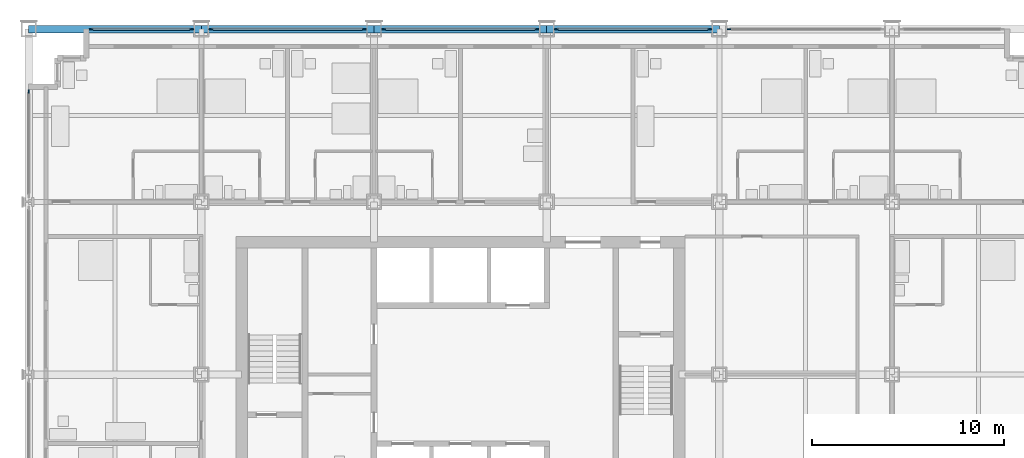
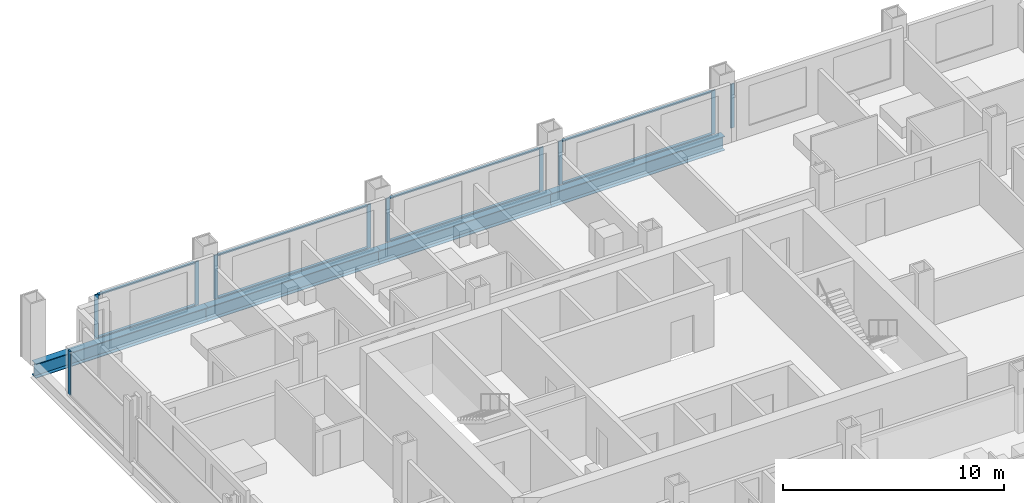
# One storey, part 7 of 18: 18 members, 4 beams, 6 elements without a shape of their own.
"""IFC4 building model written with IfcOpenShell, lengths in metres."""

from ifc_helpers import new_model, si_unit, direction, frame, origin, origin_2d, place, context, subcontext, project, spatial, rectangle, i_section, extrude, material, material_profile, profile_set, type_object, element, aggregate, save


model = new_model("IFC4")

# Units and contexts
model_context = context("Model", 3, precision=1e-05, world=origin(), true_north=direction((0.0, 1.0)))
body_context = subcontext(model_context, "Body", "Model", "MODEL_VIEW")
ifc_project = project(units=[si_unit("LENGTHUNIT", "METRE"), si_unit("AREAUNIT", "SQUARE_METRE"), si_unit("VOLUMEUNIT", "CUBIC_METRE"), si_unit("PLANEANGLEUNIT", "RADIAN"), si_unit("MASSUNIT", "GRAM", prefix="KILO")], contexts=[model_context])

# Site, building, storey
site_placement = place(None, origin())
site = spatial("IfcSite", under=ifc_project, at=site_placement, CompositionType="ELEMENT")
building_placement = place(site_placement, origin())
building = spatial("IfcBuilding", under=site, at=building_placement, Name="Loomwork Tower", CompositionType="ELEMENT")
storey_placement = place(building_placement, frame((0.0, 0.0, 65.39990234375)))
storey = spatial("IfcBuildingStorey", under=building, at=storey_placement, Name="L16", CompositionType="ELEMENT", Elevation=65.39990234375)

# Curtain wall, members
ifc_material_1 = material(Name="Aluminium curtain wall frame", Category="aluminium")
curtain_wall_type = type_object("IfcCurtainWallType", Name="Outer skin glazing hotel", PredefinedType="NOTDEFINED", material=ifc_material_1)
curtain_wall_1_placement = place(storey_placement, origin())
curtain_wall_1 = element("IfcCurtainWall", 1, at=curtain_wall_1_placement, inside=storey, type_object=curtain_wall_type, Name="Outer skin glazing hotel cw/N-0", PredefinedType="NOTDEFINED")
ifc_material_2 = material(Name="Aluminium curtain wall frame", Category="aluminium")
ifc_material_profile_1 = material_profile(ifc_material_2, rectangle(XDim=0.06494140625, YDim=0.199951171875, at=origin_2d()), Name="AL 65x200")
ifc_profile_set_1 = profile_set([ifc_material_profile_1], Name="Aluminium curtain wall frame")
member_type_1 = type_object("IfcMemberType", Name="Outer skin glazing hotel mullion", PredefinedType="MULLION", material=ifc_profile_set_1)
member_1_placement = place(storey_placement, frame((8.5, 36.0, 0.0), z_axis=(0.0, 0.0, 1.0), x_axis=(0.0, -1.0, 0.0)))
member_1 = element("IfcMember", 2, at=member_1_placement, type_object=member_type_1, Name="CW1 mullion 1", PredefinedType="MULLION", context=body_context, shape_type="SweptSolid", body=[
    extrude(rectangle(XDim=0.06494140625, YDim=0.199951171875, at=origin_2d()), origin(), (0.0, 0.0, 1.0), 2.42041015625),
])
member_2_placement = place(storey_placement, frame((3.25, 36.0, 0.0), z_axis=(0.0, 0.0, 1.0), x_axis=(0.0, -1.0, 0.0)))
member_2 = element("IfcMember", 3, at=member_2_placement, type_object=member_type_1, Name="CW1 mullion 2", PredefinedType="MULLION", context=body_context, shape_type="SweptSolid", body=[
    extrude(rectangle(XDim=0.06494140625, YDim=0.199951171875, at=origin_2d()), origin(), (0.0, 0.0, 1.0), 2.42041015625),
])

curtain_wall_2_placement = place(storey_placement, origin())
curtain_wall_2 = element("IfcCurtainWall", 4, at=curtain_wall_2_placement, inside=storey, type_object=curtain_wall_type, Name="Outer skin glazing hotel cw/N-9", PredefinedType="NOTDEFINED")
member_3_placement = place(storey_placement, frame((17.5, 36.0, 0.0), z_axis=(0.0, 0.0, 1.0), x_axis=(0.0, -1.0, 0.0)))
member_3 = element("IfcMember", 5, at=member_3_placement, type_object=member_type_1, Name="CW1 mullion 1", PredefinedType="MULLION", context=body_context, shape_type="SweptSolid", body=[
    extrude(rectangle(XDim=0.06494140625, YDim=0.199951171875, at=origin_2d()), origin(), (0.0, 0.0, 1.0), 2.42041015625),
])
member_4_placement = place(storey_placement, frame((9.5, 36.0, 0.0), z_axis=(0.0, 0.0, 1.0), x_axis=(0.0, -1.0, 0.0)))
member_4 = element("IfcMember", 6, at=member_4_placement, type_object=member_type_1, Name="CW1 mullion 2", PredefinedType="MULLION", context=body_context, shape_type="SweptSolid", body=[
    extrude(rectangle(XDim=0.06494140625, YDim=0.199951171875, at=origin_2d()), origin(), (0.0, 0.0, 1.0), 2.42041015625),
])

curtain_wall_3_placement = place(storey_placement, origin())
curtain_wall_3 = element("IfcCurtainWall", 7, at=curtain_wall_3_placement, inside=storey, type_object=curtain_wall_type, Name="Outer skin glazing hotel cw/N-18", PredefinedType="NOTDEFINED")
member_5_placement = place(storey_placement, frame((26.5, 36.0, 0.0), z_axis=(0.0, 0.0, 1.0), x_axis=(0.0, -1.0, 0.0)))
member_5 = element("IfcMember", 8, at=member_5_placement, type_object=member_type_1, Name="CW1 mullion 1", PredefinedType="MULLION", context=body_context, shape_type="SweptSolid", body=[
    extrude(rectangle(XDim=0.06494140625, YDim=0.199951171875, at=origin_2d()), origin(), (0.0, 0.0, 1.0), 2.42041015625),
])
member_6_placement = place(storey_placement, frame((18.5, 36.0, 0.0), z_axis=(0.0, 0.0, 1.0), x_axis=(0.0, -1.0, 0.0)))
member_6 = element("IfcMember", 9, at=member_6_placement, type_object=member_type_1, Name="CW1 mullion 2", PredefinedType="MULLION", context=body_context, shape_type="SweptSolid", body=[
    extrude(rectangle(XDim=0.06494140625, YDim=0.199951171875, at=origin_2d()), origin(), (0.0, 0.0, 1.0), 2.42041015625),
])

curtain_wall_4_placement = place(storey_placement, origin())
curtain_wall_4 = element("IfcCurtainWall", 10, at=curtain_wall_4_placement, inside=storey, type_object=curtain_wall_type, Name="Outer skin glazing hotel cw/N-27", PredefinedType="NOTDEFINED")
member_7_placement = place(storey_placement, frame((35.5, 36.0, 0.0), z_axis=(0.0, 0.0, 1.0), x_axis=(0.0, -1.0, 0.0)))
member_7 = element("IfcMember", 11, at=member_7_placement, type_object=member_type_1, Name="CW1 mullion 1", PredefinedType="MULLION", context=body_context, shape_type="SweptSolid", body=[
    extrude(rectangle(XDim=0.06494140625, YDim=0.199951171875, at=origin_2d()), origin(), (0.0, 0.0, 1.0), 2.42041015625),
])
member_8_placement = place(storey_placement, frame((27.5, 36.0, 0.0), z_axis=(0.0, 0.0, 1.0), x_axis=(0.0, -1.0, 0.0)))
member_8 = element("IfcMember", 12, at=member_8_placement, type_object=member_type_1, Name="CW1 mullion 2", PredefinedType="MULLION", context=body_context, shape_type="SweptSolid", body=[
    extrude(rectangle(XDim=0.06494140625, YDim=0.199951171875, at=origin_2d()), origin(), (0.0, 0.0, 1.0), 2.42041015625),
])

# Curtain wall, member
curtain_wall_5_placement = place(storey_placement, origin())
curtain_wall_5 = element("IfcCurtainWall", 13, at=curtain_wall_5_placement, inside=storey, type_object=curtain_wall_type, Name="Outer skin glazing hotel cw/N-36", PredefinedType="NOTDEFINED")
member_9_placement = place(storey_placement, frame((36.5, 36.0, 0.0), z_axis=(0.0, 0.0, 1.0), x_axis=(0.0, -1.0, 0.0)))
member_9 = element("IfcMember", 14, at=member_9_placement, type_object=member_type_1, Name="CW1 mullion 2", PredefinedType="MULLION", context=body_context, shape_type="SweptSolid", body=[
    extrude(rectangle(XDim=0.06494140625, YDim=0.199951171875, at=origin_2d()), origin(), (0.0, 0.0, 1.0), 2.42041015625),
])
aggregate(curtain_wall_5, [member_9])

curtain_wall_6_placement = place(storey_placement, origin())
curtain_wall_6 = element("IfcCurtainWall", 15, at=curtain_wall_6_placement, inside=storey, type_object=curtain_wall_type, Name="Outer skin glazing hotel cw/W-27", PredefinedType="NOTDEFINED")
member_10_placement = place(storey_placement, frame((0.0, 32.75, 0.0), z_axis=(0.0, 0.0, 1.0), x_axis=(1.0, 0.0, 0.0)))
member_10 = element("IfcMember", 16, at=member_10_placement, type_object=member_type_1, Name="CW1 mullion 1", PredefinedType="MULLION", context=body_context, shape_type="SweptSolid", body=[
    extrude(rectangle(XDim=0.06494140625, YDim=0.199951171875, at=origin_2d()), origin(), (0.0, 0.0, 1.0), 2.42041015625),
])
aggregate(curtain_wall_6, [member_10])

# Member
ifc_material_3 = material(Name="Aluminium curtain wall frame", Category="aluminium")
ifc_material_profile_2 = material_profile(ifc_material_3, rectangle(XDim=0.14990234375, YDim=0.06494140625, at=origin_2d()), Name="AL 65x150")
ifc_profile_set_2 = profile_set([ifc_material_profile_2], Name="Aluminium curtain wall frame")
member_type_2 = type_object("IfcMemberType", Name="Outer skin glazing hotel transom", PredefinedType="USERDEFINED", material=ifc_profile_set_2)
member_11_placement = place(storey_placement, frame((8.39990234375, 36.0, 0.03271484375), z_axis=(-1.0, 0.0, 0.0), x_axis=(0.0, -1.0, 0.0)))
member_11 = element("IfcMember", 17, at=member_11_placement, type_object=member_type_2, Name="CW1 transom 1.1", ObjectType="TRANSOM", PredefinedType="USERDEFINED", context=body_context, shape_type="SweptSolid", body=[
    extrude(rectangle(XDim=0.14990234375, YDim=0.06494140625, at=origin_2d()), origin(), (0.0, 0.0, 1.0), 5.0498046875),
])

member_12_placement = place(storey_placement, frame((8.39990234375, 36.0, 2.3876953125), z_axis=(-1.0, 0.0, 0.0), x_axis=(0.0, -1.0, 0.0)))
member_12 = element("IfcMember", 18, at=member_12_placement, type_object=member_type_2, Name="CW1 transom 1.2", ObjectType="TRANSOM", PredefinedType="USERDEFINED", context=body_context, shape_type="SweptSolid", body=[
    extrude(rectangle(XDim=0.14990234375, YDim=0.06494140625, at=origin_2d()), origin(), (0.0, 0.0, 1.0), 5.0498046875),
])

aggregate(curtain_wall_1, [member_1, member_2, member_11, member_12])

member_13_placement = place(storey_placement, frame((17.39990234375, 36.0, 0.03271484375), z_axis=(-1.0, 0.0, 0.0), x_axis=(0.0, -1.0, 0.0)))
member_13 = element("IfcMember", 19, at=member_13_placement, type_object=member_type_2, Name="CW1 transom 1.1", ObjectType="TRANSOM", PredefinedType="USERDEFINED", context=body_context, shape_type="SweptSolid", body=[
    extrude(rectangle(XDim=0.14990234375, YDim=0.06494140625, at=origin_2d()), origin(), (0.0, 0.0, 1.0), 7.7998046875),
])

member_14_placement = place(storey_placement, frame((17.39990234375, 36.0, 2.3876953125), z_axis=(-1.0, 0.0, 0.0), x_axis=(0.0, -1.0, 0.0)))
member_14 = element("IfcMember", 20, at=member_14_placement, type_object=member_type_2, Name="CW1 transom 1.2", ObjectType="TRANSOM", PredefinedType="USERDEFINED", context=body_context, shape_type="SweptSolid", body=[
    extrude(rectangle(XDim=0.14990234375, YDim=0.06494140625, at=origin_2d()), origin(), (0.0, 0.0, 1.0), 7.7998046875),
])

aggregate(curtain_wall_2, [member_3, member_4, member_13, member_14])

member_15_placement = place(storey_placement, frame((26.39990234375, 36.0, 0.03271484375), z_axis=(-1.0, 0.0, 0.0), x_axis=(0.0, -1.0, 0.0)))
member_15 = element("IfcMember", 21, at=member_15_placement, type_object=member_type_2, Name="CW1 transom 1.1", ObjectType="TRANSOM", PredefinedType="USERDEFINED", context=body_context, shape_type="SweptSolid", body=[
    extrude(rectangle(XDim=0.14990234375, YDim=0.06494140625, at=origin_2d()), origin(), (0.0, 0.0, 1.0), 7.7998046875),
])

member_16_placement = place(storey_placement, frame((26.39990234375, 36.0, 2.3876953125), z_axis=(-1.0, 0.0, 0.0), x_axis=(0.0, -1.0, 0.0)))
member_16 = element("IfcMember", 22, at=member_16_placement, type_object=member_type_2, Name="CW1 transom 1.2", ObjectType="TRANSOM", PredefinedType="USERDEFINED", context=body_context, shape_type="SweptSolid", body=[
    extrude(rectangle(XDim=0.14990234375, YDim=0.06494140625, at=origin_2d()), origin(), (0.0, 0.0, 1.0), 7.7998046875),
])

aggregate(curtain_wall_3, [member_5, member_6, member_15, member_16])

member_17_placement = place(storey_placement, frame((35.39990234375, 36.0, 0.03271484375), z_axis=(-1.0, 0.0, 0.0), x_axis=(0.0, -1.0, 0.0)))
member_17 = element("IfcMember", 23, at=member_17_placement, type_object=member_type_2, Name="CW1 transom 1.1", ObjectType="TRANSOM", PredefinedType="USERDEFINED", context=body_context, shape_type="SweptSolid", body=[
    extrude(rectangle(XDim=0.14990234375, YDim=0.06494140625, at=origin_2d()), origin(), (0.0, 0.0, 1.0), 7.7998046875),
])

member_18_placement = place(storey_placement, frame((35.39990234375, 36.0, 2.3876953125), z_axis=(-1.0, 0.0, 0.0), x_axis=(0.0, -1.0, 0.0)))
member_18 = element("IfcMember", 24, at=member_18_placement, type_object=member_type_2, Name="CW1 transom 1.2", ObjectType="TRANSOM", PredefinedType="USERDEFINED", context=body_context, shape_type="SweptSolid", body=[
    extrude(rectangle(XDim=0.14990234375, YDim=0.06494140625, at=origin_2d()), origin(), (0.0, 0.0, 1.0), 7.7998046875),
])

aggregate(curtain_wall_4, [member_7, member_8, member_17, member_18])

# Beams
ifc_material_4 = material(Name="Steel ASTM A992", Category="steel")
ifc_material_profile_3 = material_profile(ifc_material_4, i_section(OverallWidth=0.381103515625, OverallDepth=0.77978515625, WebThickness=0.01806640625, FlangeThickness=0.0302734375, at=origin_2d()), Name="W30x191")
ifc_profile_set_3 = profile_set([ifc_material_profile_3], Name="Steel ASTM A992")
beam_type = type_object("IfcBeamType", Name="SPANDREL GIRDER W30x191", PredefinedType="SPANDREL", material=ifc_profile_set_3)
for number, where, z_axis, x_axis, name in (
    (25, (0.0, 36.0, -0.58984375), (1.0, 0.0, 0.0), (0.0, 1.0, 0.0), "Spandrel Girder H/2-H/3 L16"),
    (26, (9.0, 36.0, -0.58984375), (1.0, 0.0, 0.0), (0.0, 1.0, 0.0), "Spandrel Girder H/3-H/4 L16"),
    (27, (18.0, 36.0, -0.58984375), (1.0, 0.0, 0.0), (0.0, 1.0, 0.0), "Spandrel Girder H/4-H/5 L16"),
    (28, (27.0, 36.0, -0.58984375), (1.0, 0.0, 0.0), (0.0, 1.0, 0.0), "Spandrel Girder H/5-H/6 L16"),
):
    element("IfcBeam", number, at=place(storey_placement, frame(where, z_axis=z_axis, x_axis=x_axis)), inside=storey, type_object=beam_type, Name=name, PredefinedType="SPANDREL", context=body_context, shape_type="SweptSolid", body=[
        extrude(i_section(OverallWidth=0.381103515625, OverallDepth=0.77978515625, WebThickness=0.01806640625, FlangeThickness=0.0302734375, at=origin_2d()), origin(), (0.0, 0.0, 1.0), 9.0),
    ])

save(model, "model.ifc")
